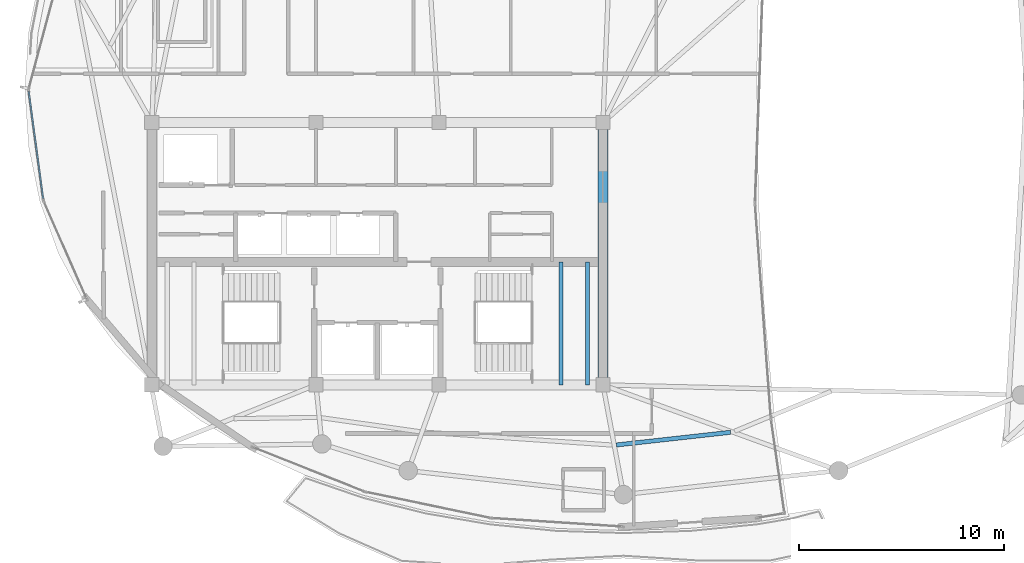
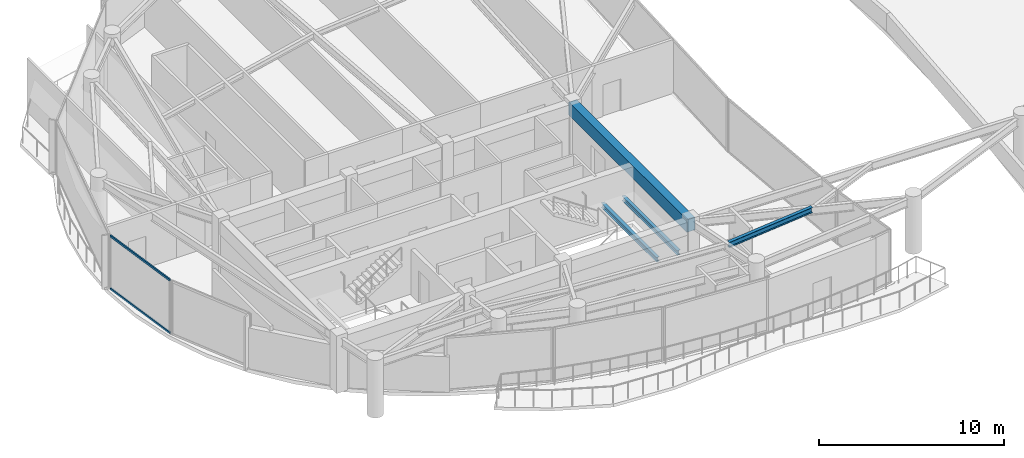
# One storey, part 7 of 23: 4 beams, 2 members, 1 element without a shape of its own.
"""IFC4 building model written with IfcOpenShell, lengths in metres."""

from ifc_helpers import new_model, si_unit, direction, frame, origin, origin_2d, place, context, subcontext, project, spatial, rectangle, hollow_rectangle, i_section, extrude, material, layer, layer_set, material_profile, profile_set, type_object, element, aggregate, save


model = new_model("IFC4")

# Units and contexts
model_context = context("Model", 3, precision=1e-05, world=origin(), true_north=direction((0.0, 1.0)))
body_context = subcontext(model_context, "Body", "Model", "MODEL_VIEW")
ifc_project = project(units=[si_unit("LENGTHUNIT", "METRE"), si_unit("AREAUNIT", "SQUARE_METRE"), si_unit("VOLUMEUNIT", "CUBIC_METRE"), si_unit("PLANEANGLEUNIT", "RADIAN"), si_unit("MASSUNIT", "GRAM", prefix="KILO")], contexts=[model_context])

# Site, building, storey
site_placement = place(None, origin())
site = spatial("IfcSite", under=ifc_project, at=site_placement, CompositionType="ELEMENT")
building_placement = place(site_placement, origin())
building = spatial("IfcBuilding", under=site, at=building_placement, Name="Kazevale Care Tower and Concert Hall", CompositionType="ELEMENT")
storey_placement = place(building_placement, frame((0.0, 0.0, 266.199951171875)))
storey = spatial("IfcBuildingStorey", under=building, at=storey_placement, Name="L70", CompositionType="ELEMENT", Elevation=266.199951171875)

# Curtain wall, members
ifc_material_1 = material(Name="Aluminium 6063-T6 and Low-E Glass", Category="aluminium")
ifc_layer = layer(ifc_material_1, 0.179931640625)
ifc_layer_set = layer_set([ifc_layer], Name="Aluminium 6063-T6 and Low-E Glass")
curtain_wall_type = type_object("IfcCurtainWallType", Name="Waist & Upper Residential Curtain Wall CW-4", PredefinedType="NOTDEFINED", material=ifc_layer_set)
curtain_wall_placement = place(storey_placement, origin())
curtain_wall = element("IfcCurtainWall", 1, at=curtain_wall_placement, inside=storey, type_object=curtain_wall_type, Name="cw:L70:f08", PredefinedType="NOTDEFINED")
ifc_material_2 = material(Name="Aluminium 6063-T6", Category="aluminium")
ifc_material_profile_1 = material_profile(ifc_material_2, hollow_rectangle(XDim=0.080078125, YDim=0.139892578125, WallThickness=0.00390625, at=origin_2d()), Name="ALU80x140x4")
ifc_profile_set_1 = profile_set([ifc_material_profile_1], Name="Aluminium 6063-T6")
member_type = type_object("IfcMemberType", Name="CW-4 Transom ALU80x140x4", PredefinedType="USERDEFINED", material=ifc_profile_set_1)
member_1_placement = place(storey_placement, frame((16.6953125, 32.67919921875, 0.0400390625), z_axis=(-0.133228026352, 0.991085411554, 0.0), x_axis=(-0.991085411554, -0.133228026352, 0.0)))
member_1 = element("IfcMember", 2, at=member_1_placement, type_object=member_type, Name="CW-4 transom 1.1", ObjectType="TRANSOM", PredefinedType="USERDEFINED", context=body_context, shape_type="SweptSolid", body=[
    extrude(hollow_rectangle(XDim=0.080078125, YDim=0.139892578125, WallThickness=0.00390625, at=origin_2d()), origin(), (0.0, 0.0, 1.0), 5.28857421875),
])
member_2_placement = place(storey_placement, frame((16.6953125, 32.67919921875, 3.52001953125), z_axis=(-0.133228026352, 0.991085411554, 0.0), x_axis=(-0.991085411554, -0.133228026352, 0.0)))
member_2 = element("IfcMember", 3, at=member_2_placement, type_object=member_type, Name="CW-4 transom 1.2", ObjectType="TRANSOM", PredefinedType="USERDEFINED", context=body_context, shape_type="SweptSolid", body=[
    extrude(hollow_rectangle(XDim=0.080078125, YDim=0.139892578125, WallThickness=0.00390625, at=origin_2d()), origin(), (0.0, 0.0, 1.0), 5.28857421875),
])
aggregate(curtain_wall, [member_1, member_2])

# Beams
ifc_material_3 = material(Name="Concrete C60", Category="concrete")
ifc_material_profile_2 = material_profile(ifc_material_3, rectangle(XDim=0.5, YDim=0.85009765625, at=origin_2d()), Name="RC-B500x850")
ifc_profile_set_2 = profile_set([ifc_material_profile_2], Name="Concrete C60")
beam_type_1 = type_object("IfcBeamType", Name="Core Coupling Beam RC500x850", PredefinedType="LINTEL", material=ifc_profile_set_2)
beam_1_placement = place(storey_placement, frame((44.0, 23.60009765625, 3.135009765625), z_axis=(0.0, 1.0, 0.0), x_axis=(-1.0, 0.0, 0.0)))
element("IfcBeam", 4, at=beam_1_placement, inside=storey, type_object=beam_type_1, Name="beam:L70:coretie:4", PredefinedType="LINTEL", context=body_context, shape_type="SweptSolid", body=[
    extrude(rectangle(XDim=0.5, YDim=0.85009765625, at=origin_2d()), origin(), (0.0, 0.0, 1.0), 12.7998046875),
])
ifc_material_4 = material(Name="Steel ASTM A572 Gr 50", Category="steel")
ifc_material_profile_3 = material_profile(ifc_material_4, i_section(OverallWidth=0.205078125, OverallDepth=0.35400390625, WebThickness=0.009521484375, FlangeThickness=0.016845703125, at=origin_2d()), Name="W360x79")
ifc_profile_set_3 = profile_set([ifc_material_profile_3], Name="Steel ASTM A572 Gr 50")
beam_type_2 = type_object("IfcBeamType", Name="Secondary Floor Joist W360x79", PredefinedType="JOIST", material=ifc_profile_set_3)
beam_2_placement = place(storey_placement, frame((44.654052734375, 20.6689453125, 3.383056640625), z_axis=(0.99385286667, 0.110708985236, 0.0), x_axis=(-0.110708985236, 0.99385286667, 0.0)))
element("IfcBeam", 5, at=beam_2_placement, inside=storey, type_object=beam_type_2, Name="beam:L70:joist:13", PredefinedType="JOIST", context=body_context, shape_type="SweptSolid", body=[
    extrude(i_section(OverallWidth=0.205078125, OverallDepth=0.35400390625, WebThickness=0.009521484375, FlangeThickness=0.016845703125, at=origin_2d()), origin(), (0.0, 0.0, 1.0), 5.601318359375),
])
ifc_material_profile_4 = material_profile(ifc_material_4, i_section(OverallWidth=0.202880859375, OverallDepth=0.302978515625, WebThickness=0.007568359375, FlangeThickness=0.01318359375, at=origin_2d()), Name="W310x60")
ifc_profile_set_4 = profile_set([ifc_material_profile_4], Name="Steel ASTM A572 Gr 50")
beam_type_3 = type_object("IfcBeamType", Name="Stair & Balcony Trimmer W310x60", PredefinedType="BEAM", material=ifc_profile_set_4)
for number, where, z_axis, x_axis, name in (
    (6, (41.949951171875, 23.60009765625, 1.548583984375), (0.0, 1.0, 0.0), (-1.0, 0.0, 0.0), "beam:L70:sttrim:ST2"),
    (7, (43.25, 23.60009765625, 1.548583984375), (0.0, 1.0, 0.0), (-1.0, 0.0, 0.0), "beam:L70:sttrim:ST2b"),
):
    element("IfcBeam", number, at=place(storey_placement, frame(where, z_axis=z_axis, x_axis=x_axis)), inside=storey, type_object=beam_type_3, Name=name, PredefinedType="BEAM", context=body_context, shape_type="SweptSolid", body=[
        extrude(i_section(OverallWidth=0.202880859375, OverallDepth=0.302978515625, WebThickness=0.007568359375, FlangeThickness=0.01318359375, at=origin_2d()), origin(), (0.0, 0.0, 1.0), 6.0),
    ])

save(model, "model.ifc")
